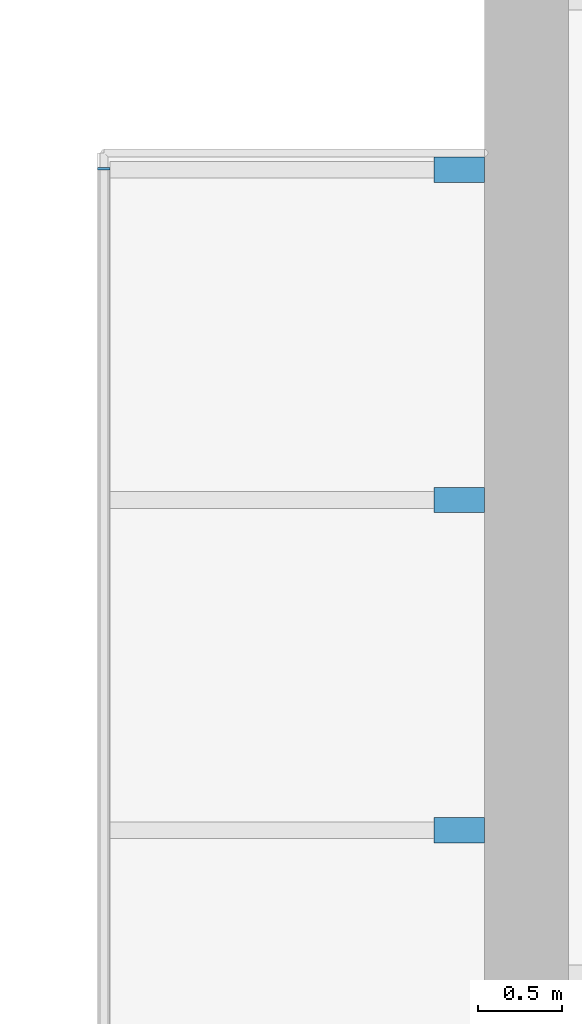
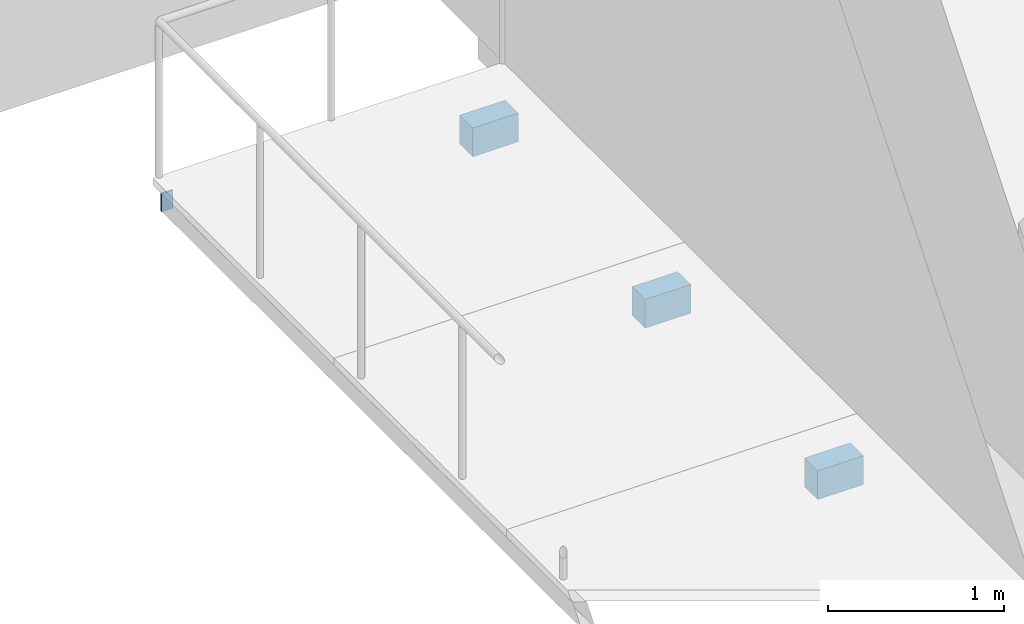
# One storey, part 43 of 70: 4 discrete accessories.
"""IFC4 building model written with IfcOpenShell, lengths in metres."""

from ifc_helpers import new_model, si_unit, direction, frame, origin, origin_2d, place, context, subcontext, project, spatial, rectangle, extrude, material, material_profile, profile_set, type_object, element, save


model = new_model("IFC4")

# Units and contexts
model_context = context("Model", 3, precision=1e-05, world=origin(), true_north=direction((0.0, 1.0)))
body_context = subcontext(model_context, "Body", "Model", "MODEL_VIEW")
ifc_project = project(units=[si_unit("LENGTHUNIT", "METRE"), si_unit("AREAUNIT", "SQUARE_METRE"), si_unit("VOLUMEUNIT", "CUBIC_METRE"), si_unit("PLANEANGLEUNIT", "RADIAN"), si_unit("MASSUNIT", "GRAM", prefix="KILO")], contexts=[model_context])

# Site, building, storey
site_placement = place(None, origin())
site = spatial("IfcSite", under=ifc_project, at=site_placement, CompositionType="ELEMENT")
building_placement = place(site_placement, origin())
building = spatial("IfcBuilding", under=site, at=building_placement, Name="Saffron Lane Theatres", CompositionType="ELEMENT")
storey_placement = place(building_placement, frame((0.0, 0.0, 12.0)))
storey = spatial("IfcBuildingStorey", under=building, at=storey_placement, Name="L02", CompositionType="ELEMENT", Elevation=12.0)

# Discrete accessories
ifc_material = material(Name="Steel Grade 350", Category="steel")
ifc_material_profile = material_profile(ifc_material, rectangle(XDim=0.074951171875, YDim=0.125, at=origin_2d()))
ifc_profile_set = profile_set([ifc_material_profile], Name="Steel Grade 350")
discrete_accessory_type = type_object("IfcDiscreteAccessoryType", Name="ST-STEEL END CAP 125x75x5 RHS", PredefinedType="ANCHORPLATE", material=ifc_profile_set)
discrete_accessory_placement = place(storey_placement, frame((45.237548828125, 52.89990234375, -0.112548828125), z_axis=(0.0, 1.0, 0.0), x_axis=(-1.0, 0.0, 0.0)))
element("IfcDiscreteAccessory", 1, at=discrete_accessory_placement, inside=storey, type_object=discrete_accessory_type, Name="EC598", PredefinedType="ANCHORPLATE", context=body_context, shape_type="SweptSolid", body=[
    extrude(rectangle(XDim=0.074951171875, YDim=0.125, at=origin_2d()), origin(), (0.0, 0.0, 1.0), 0.01220703125),
])
for number, where, z_axis, x_axis, name in (
    (2, (47.35009765625, 48.97509765625, -0.44775390625), (0.0, 0.0, 1.0), (1.0, 0.0, 0.0), "FKE12-8"),
    (3, (47.35009765625, 50.9375, -0.44775390625), (0.0, 0.0, 1.0), (1.0, 0.0, 0.0), "FKE12-9"),
    (4, (47.35009765625, 52.89990234375, -0.44775390625), (0.0, 0.0, 1.0), (1.0, 0.0, 0.0), "FKE12-10"),
):
    element("IfcDiscreteAccessory", number, at=place(storey_placement, frame(where, z_axis=z_axis, x_axis=x_axis)), inside=storey, Name=name, PredefinedType="BRACKET", context=body_context, shape_type="SweptSolid", body=[
        extrude(rectangle(XDim=0.300048828125, YDim=0.14990234375, at=origin_2d()), origin(), (0.0, 0.0, 1.0), 0.199951171875),
    ])

save(model, "model.ifc")
